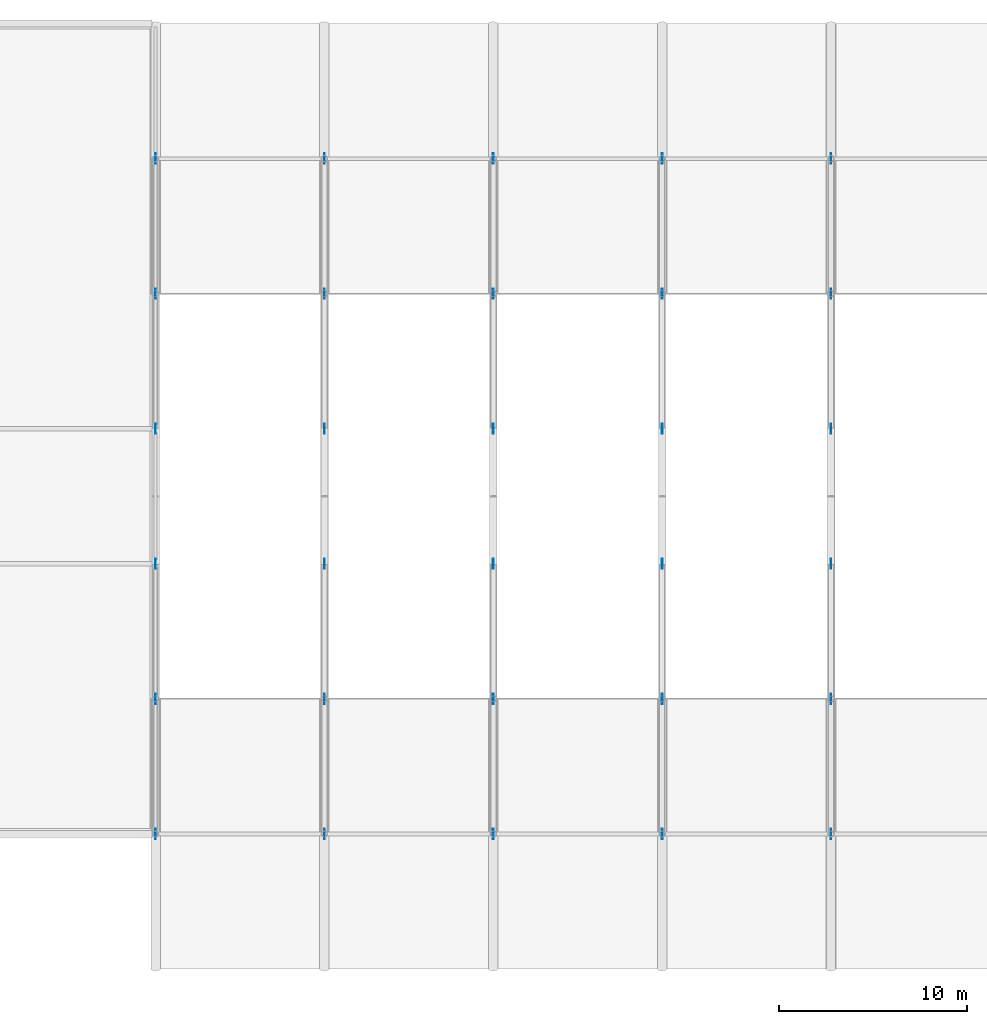
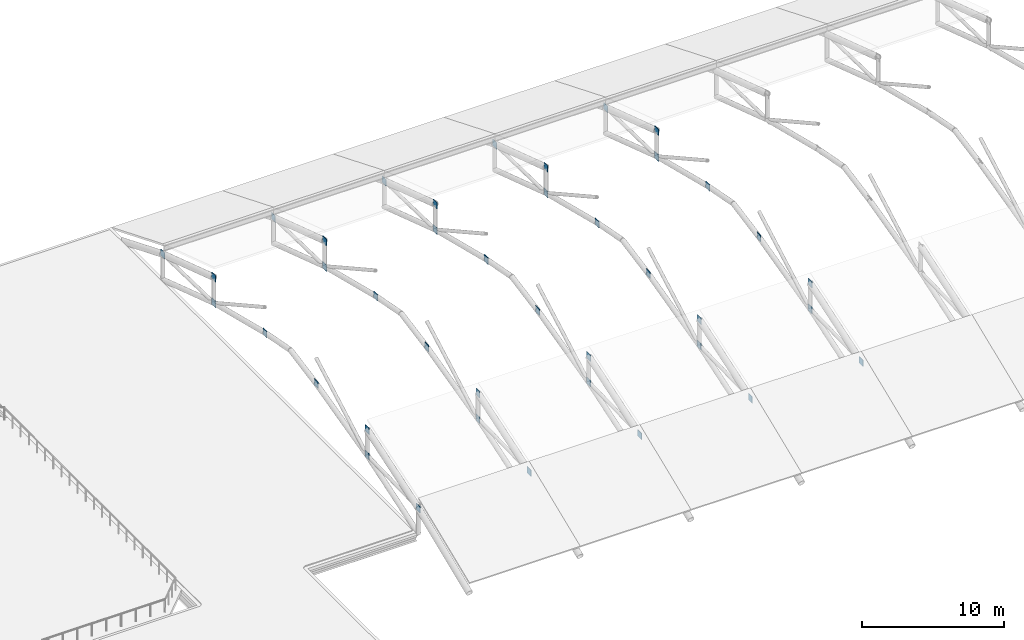
# One storey, part 63 of 78: 40 plates.
"""IFC4 building model written with IfcOpenShell, lengths in metres."""

from ifc_helpers import new_model, si_unit, direction, frame, origin, origin_2d, place, context, subcontext, project, spatial, rectangle, extrude, material, layer, layer_set, type_object, element, save


model = new_model("IFC4")

# Units and contexts
model_context = context("Model", 3, precision=1e-05, world=origin(), true_north=direction((0.0, 1.0)))
body_context = subcontext(model_context, "Body", "Model", "MODEL_VIEW")
ifc_project = project(units=[si_unit("LENGTHUNIT", "METRE"), si_unit("AREAUNIT", "SQUARE_METRE"), si_unit("VOLUMEUNIT", "CUBIC_METRE"), si_unit("PLANEANGLEUNIT", "RADIAN"), si_unit("MASSUNIT", "GRAM", prefix="KILO")], contexts=[model_context])

# Site, building, storey
site_placement = place(None, origin())
site = spatial("IfcSite", under=ifc_project, at=site_placement, CompositionType="ELEMENT")
building_placement = place(site_placement, origin())
building = spatial("IfcBuilding", under=site, at=building_placement, Name="Celestram Park Convention Centre", CompositionType="ELEMENT")
storey_placement = place(building_placement, frame((0.0, 0.0, 19.800048828125)))
storey = spatial("IfcBuildingStorey", under=building, at=storey_placement, Name="L04", CompositionType="ELEMENT", Elevation=19.800048828125)

# Plates
ifc_material = material(Name="Steel ASTM A572 Grade 50", Category="steel")
ifc_layer = layer(ifc_material, 0.0400390625)
ifc_layer_set = layer_set([ifc_layer], Name="Steel ASTM A572 Grade 50")
plate_type = type_object("IfcPlateType", Name="STR-PLT-GP40", PredefinedType="USERDEFINED", material=ifc_layer_set)
for number, where, z_axis, x_axis, name in (
    (1, (153.0, 122.39990234375, 1.78369140625), (0.0, 0.0, 1.0), (0.0, 1.0, 0.0), "V2 truss node gusset plate"),
    (2, (153.0, 129.60009765625, 4.15576171875), (0.0, 0.0, 1.0), (0.0, 1.0, 0.0), "V2 truss node gusset plate"),
    (3, (153.0, 129.60009765625, 1.95556640625), (0.0, 0.0, 1.0), (0.0, 1.0, 0.0), "V2 truss node gusset plate"),
    (4, (153.0, 136.800048828125, 3.75439453125), (0.0, 0.0, 1.0), (0.0, 1.0, 0.0), "V2 truss node gusset plate"),
    (5, (153.0, 144.0, 3.75439453125), (0.0, 0.0, 1.0), (0.0, 1.0, 0.0), "V2 truss node gusset plate"),
    (6, (153.0, 151.199951171875, 4.15576171875), (0.0, 0.0, 1.0), (0.0, 1.0, 0.0), "V2 truss node gusset plate"),
    (7, (153.0, 151.199951171875, 1.95556640625), (0.0, 0.0, 1.0), (0.0, 1.0, 0.0), "V2 truss node gusset plate"),
    (8, (153.0, 158.39990234375, 1.78369140625), (0.0, 0.0, 1.0), (0.0, 1.0, 0.0), "V2 truss node gusset plate"),
    (9, (162.0, 122.39990234375, 1.78369140625), (0.0, 0.0, 1.0), (0.0, 1.0, 0.0), "V2 truss node gusset plate"),
    (10, (162.0, 129.60009765625, 4.15576171875), (0.0, 0.0, 1.0), (0.0, 1.0, 0.0), "V2 truss node gusset plate"),
    (11, (162.0, 129.60009765625, 1.95556640625), (0.0, 0.0, 1.0), (0.0, 1.0, 0.0), "V2 truss node gusset plate"),
    (12, (162.0, 136.800048828125, 3.75439453125), (0.0, 0.0, 1.0), (0.0, 1.0, 0.0), "V2 truss node gusset plate"),
    (13, (162.0, 144.0, 3.75439453125), (0.0, 0.0, 1.0), (0.0, 1.0, 0.0), "V2 truss node gusset plate"),
    (14, (162.0, 151.199951171875, 4.15576171875), (0.0, 0.0, 1.0), (0.0, 1.0, 0.0), "V2 truss node gusset plate"),
    (15, (162.0, 151.199951171875, 1.95556640625), (0.0, 0.0, 1.0), (0.0, 1.0, 0.0), "V2 truss node gusset plate"),
    (16, (162.0, 158.39990234375, 1.78369140625), (0.0, 0.0, 1.0), (0.0, 1.0, 0.0), "V2 truss node gusset plate"),
    (17, (171.0, 122.39990234375, 1.78369140625), (0.0, 0.0, 1.0), (0.0, 1.0, 0.0), "V2 truss node gusset plate"),
    (18, (171.0, 129.60009765625, 4.15576171875), (0.0, 0.0, 1.0), (0.0, 1.0, 0.0), "V2 truss node gusset plate"),
    (19, (171.0, 129.60009765625, 1.95556640625), (0.0, 0.0, 1.0), (0.0, 1.0, 0.0), "V2 truss node gusset plate"),
    (20, (171.0, 136.800048828125, 3.75439453125), (0.0, 0.0, 1.0), (0.0, 1.0, 0.0), "V2 truss node gusset plate"),
    (21, (171.0, 144.0, 3.75439453125), (0.0, 0.0, 1.0), (0.0, 1.0, 0.0), "V2 truss node gusset plate"),
    (22, (171.0, 151.199951171875, 4.15576171875), (0.0, 0.0, 1.0), (0.0, 1.0, 0.0), "V2 truss node gusset plate"),
    (23, (171.0, 151.199951171875, 1.95556640625), (0.0, 0.0, 1.0), (0.0, 1.0, 0.0), "V2 truss node gusset plate"),
    (24, (171.0, 158.39990234375, 1.78369140625), (0.0, 0.0, 1.0), (0.0, 1.0, 0.0), "V2 truss node gusset plate"),
    (25, (180.0, 122.39990234375, 1.78369140625), (0.0, 0.0, 1.0), (0.0, 1.0, 0.0), "V2 truss node gusset plate"),
    (26, (180.0, 129.60009765625, 4.15576171875), (0.0, 0.0, 1.0), (0.0, 1.0, 0.0), "V2 truss node gusset plate"),
    (27, (180.0, 129.60009765625, 1.95556640625), (0.0, 0.0, 1.0), (0.0, 1.0, 0.0), "V2 truss node gusset plate"),
    (28, (180.0, 136.800048828125, 3.75439453125), (0.0, 0.0, 1.0), (0.0, 1.0, 0.0), "V2 truss node gusset plate"),
    (29, (180.0, 144.0, 3.75439453125), (0.0, 0.0, 1.0), (0.0, 1.0, 0.0), "V2 truss node gusset plate"),
    (30, (180.0, 151.199951171875, 4.15576171875), (0.0, 0.0, 1.0), (0.0, 1.0, 0.0), "V2 truss node gusset plate"),
    (31, (180.0, 151.199951171875, 1.95556640625), (0.0, 0.0, 1.0), (0.0, 1.0, 0.0), "V2 truss node gusset plate"),
    (32, (180.0, 158.39990234375, 1.78369140625), (0.0, 0.0, 1.0), (0.0, 1.0, 0.0), "V2 truss node gusset plate"),
    (33, (189.0, 122.39990234375, 1.78369140625), (0.0, 0.0, 1.0), (0.0, 1.0, 0.0), "V2 truss node gusset plate"),
    (34, (189.0, 129.60009765625, 4.15576171875), (0.0, 0.0, 1.0), (0.0, 1.0, 0.0), "V2 truss node gusset plate"),
    (35, (189.0, 129.60009765625, 1.95556640625), (0.0, 0.0, 1.0), (0.0, 1.0, 0.0), "V2 truss node gusset plate"),
    (36, (189.0, 136.800048828125, 3.75439453125), (0.0, 0.0, 1.0), (0.0, 1.0, 0.0), "V2 truss node gusset plate"),
    (37, (189.0, 144.0, 3.75439453125), (0.0, 0.0, 1.0), (0.0, 1.0, 0.0), "V2 truss node gusset plate"),
    (38, (189.0, 151.199951171875, 4.15576171875), (0.0, 0.0, 1.0), (0.0, 1.0, 0.0), "V2 truss node gusset plate"),
    (39, (189.0, 151.199951171875, 1.95556640625), (0.0, 0.0, 1.0), (0.0, 1.0, 0.0), "V2 truss node gusset plate"),
    (40, (189.0, 158.39990234375, 1.78369140625), (0.0, 0.0, 1.0), (0.0, 1.0, 0.0), "V2 truss node gusset plate"),
):
    element("IfcPlate", number, at=place(storey_placement, frame(where, z_axis=z_axis, x_axis=x_axis)), inside=storey, type_object=plate_type, Name=name, ObjectType="GUSSET_PLATE", PredefinedType="USERDEFINED", context=body_context, shape_type="SweptSolid", body=[
        extrude(rectangle(XDim=0.550048828125, YDim=0.0400390625, at=origin_2d()), origin(), (0.0, 0.0, 1.0), 0.550048828125),
    ])

save(model, "model.ifc")
